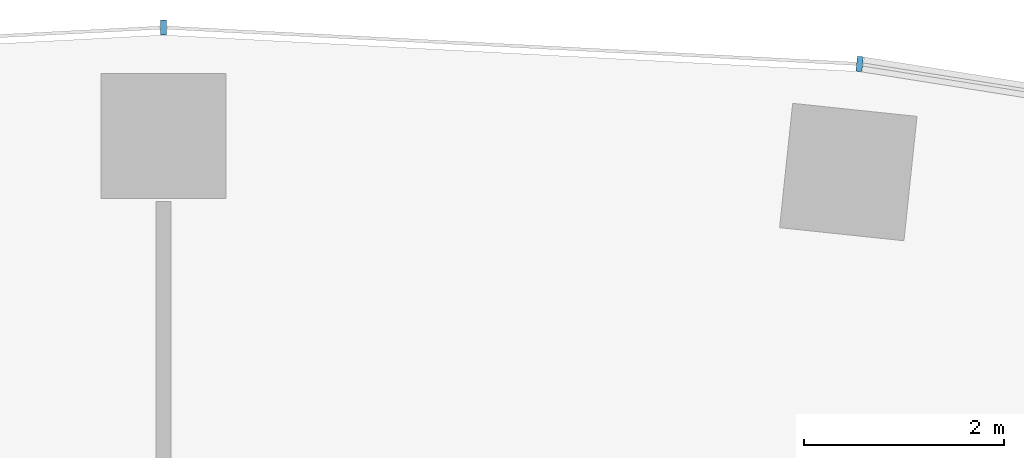
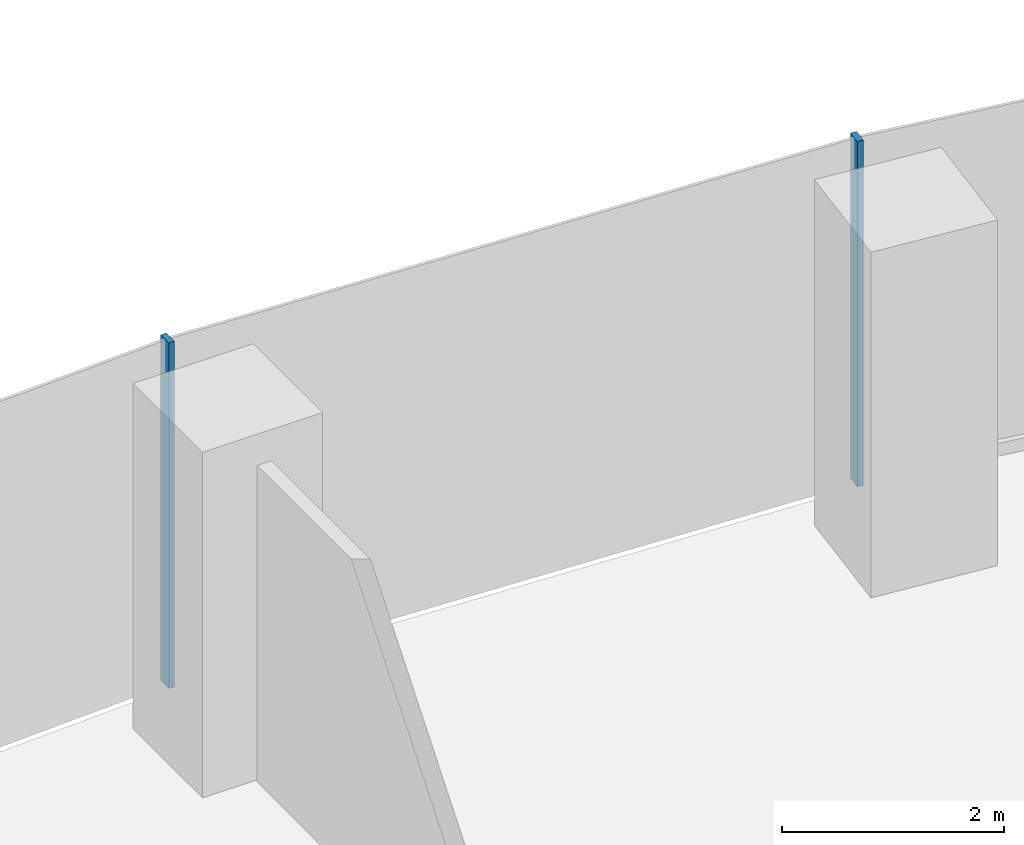
# One storey, part 7 of 21: 2 members, 1 element without a shape of its own.
"""IFC4 building model written with IfcOpenShell, lengths in metres."""

from ifc_helpers import new_model, si_unit, direction, frame, origin, origin_2d, place, context, subcontext, project, spatial, rectangle, extrude, material, layer, layer_set, material_profile, profile_set, type_object, element, aggregate, save


model = new_model("IFC4")

# Units and contexts
model_context = context("Model", 3, precision=1e-05, world=origin(), true_north=direction((0.0, 1.0)))
body_context = subcontext(model_context, "Body", "Model", "MODEL_VIEW")
ifc_project = project(units=[si_unit("LENGTHUNIT", "METRE"), si_unit("AREAUNIT", "SQUARE_METRE"), si_unit("VOLUMEUNIT", "CUBIC_METRE"), si_unit("PLANEANGLEUNIT", "RADIAN"), si_unit("MASSUNIT", "GRAM", prefix="KILO")], contexts=[model_context])

# Site, building, storey
site_placement = place(None, origin())
site = spatial("IfcSite", under=ifc_project, at=site_placement, CompositionType="ELEMENT")
building_placement = place(site_placement, origin())
building = spatial("IfcBuilding", under=site, at=building_placement, Name="Stone Belt Terrace Tower", CompositionType="ELEMENT")
storey_placement = place(building_placement, frame((0.0, 0.0, 56.60009765625)))
storey = spatial("IfcBuildingStorey", under=building, at=storey_placement, Name="L13", CompositionType="ELEMENT", Elevation=56.60009765625)

# Curtain wall, members
ifc_material = material(Name="Aluminium 6063-T6 anodised frame", Category="aluminium")
ifc_layer = layer(ifc_material, 0.14990234375)
ifc_layer_set = layer_set([ifc_layer], Name="CW-A unitised convex-face curtain wall")
curtain_wall_type = type_object("IfcCurtainWallType", Name="CW-A unitised convex-face curtain wall", PredefinedType="NOTDEFINED", material=ifc_layer_set)
curtain_wall_placement = place(storey_placement, origin())
curtain_wall = element("IfcCurtainWall", 1, at=curtain_wall_placement, inside=storey, type_object=curtain_wall_type, Name="CW-A convex face L13", PredefinedType="NOTDEFINED")
ifc_material_profile = material_profile(ifc_material, rectangle(XDim=0.14990234375, YDim=0.06005859375, at=origin_2d()), Name="Aluminium 6063-T6 60x150")
ifc_profile_set = profile_set([ifc_material_profile], Name="Aluminium 6063-T6 anodised frame")
member_type = type_object("IfcMemberType", Name="CW-A mullion 60 x 150", PredefinedType="MULLION", material=ifc_profile_set)
member_1_placement = place(storey_placement, frame((6.958984375, 66.21044921875, 0.0), z_axis=(0.0, 0.0, 1.0), x_axis=(-0.104528463268, -0.994521895368, 0.0)))
member_1 = element("IfcMember", 2, at=member_1_placement, type_object=member_type, Name="CW-A mullion 8", PredefinedType="MULLION", context=body_context, shape_type="SweptSolid", body=[
    extrude(rectangle(XDim=0.14990234375, YDim=0.06005859375, at=origin_2d()), origin(), (0.0, 0.0, 1.0), 3.7998046875),
])
member_2_placement = place(storey_placement, frame((0.0, 66.5751953125, 0.0), z_axis=(0.0, 0.0, 1.0), x_axis=(0.0, -1.0, 0.0)))
member_2 = element("IfcMember", 3, at=member_2_placement, type_object=member_type, Name="CW-A mullion 9", PredefinedType="MULLION", context=body_context, shape_type="SweptSolid", body=[
    extrude(rectangle(XDim=0.14990234375, YDim=0.06005859375, at=origin_2d()), origin(), (0.0, 0.0, 1.0), 3.7998046875),
])
aggregate(curtain_wall, [member_1, member_2])

save(model, "model.ifc")
